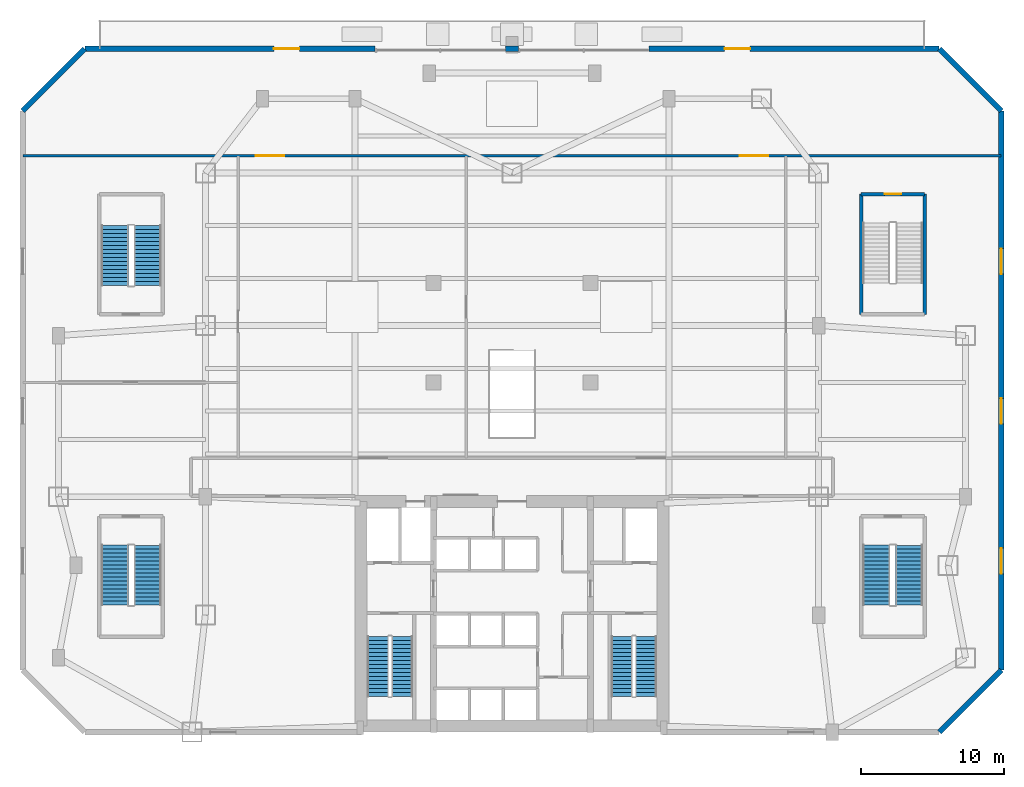
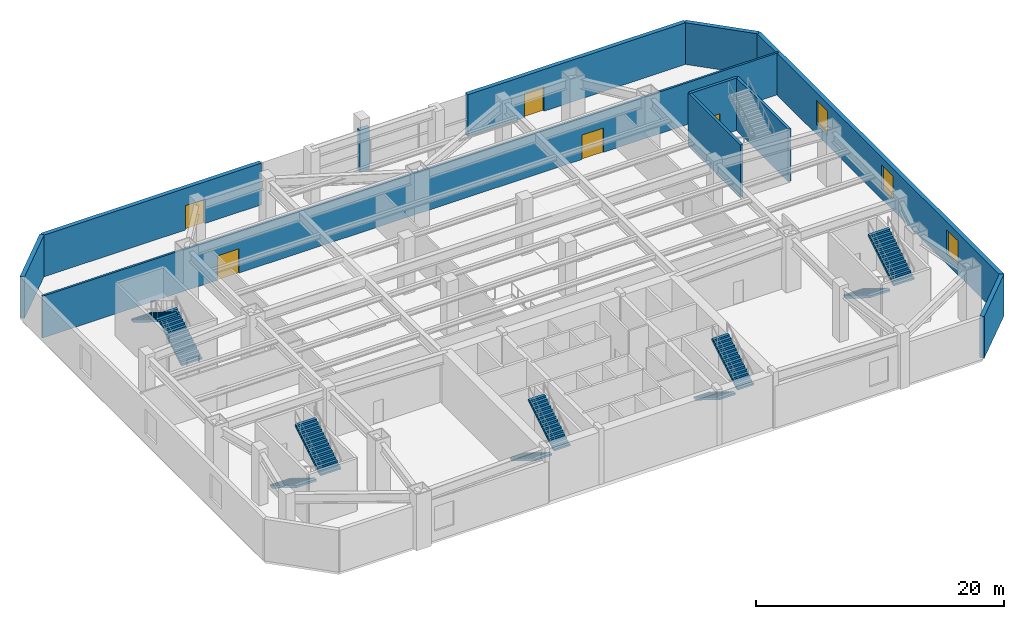
# One storey, part 6 of 10: 11 walls, 10 stair flights, 5 doors, 3 windows, 8 openings, 5 elements without a shape of their own.
"""IFC4 building model written with IfcOpenShell, lengths in metres."""

from ifc_helpers import new_model, si_unit, direction, frame, frame_2d, origin, place, context, subcontext, project, spatial, polyline, rectangle, outline, extrude, source, transform, mapped, material, layer, layer_set, type_object, type_shapes, element, fill, aggregate, save


model = new_model("IFC4")

# Units and contexts
model_context = context("Model", 3, precision=1e-05, world=origin(), true_north=direction((0.0, 1.0)))
body_context = subcontext(model_context, "Body", "Model", "MODEL_VIEW")
ifc_project = project(units=[si_unit("LENGTHUNIT", "METRE"), si_unit("AREAUNIT", "SQUARE_METRE"), si_unit("VOLUMEUNIT", "CUBIC_METRE"), si_unit("PLANEANGLEUNIT", "RADIAN"), si_unit("MASSUNIT", "GRAM", prefix="KILO")], contexts=[model_context])

# Site, building, storey
site_placement = place(None, origin())
site = spatial("IfcSite", under=ifc_project, at=site_placement, CompositionType="ELEMENT")
building_placement = place(site_placement, origin())
building = spatial("IfcBuilding", under=site, at=building_placement, Name="Varnakhor Terracotta Tower", CompositionType="ELEMENT")
storey_placement = place(building_placement, frame((0.0, 0.0, 5.5)))
storey = spatial("IfcBuildingStorey", under=building, at=storey_placement, Name="L01", CompositionType="ELEMENT", Elevation=5.5)

# Wall, openings, doors
ifc_material_1 = material(Name="Fire-Rated Gypsum Stud Partition", Category="gypsum")
ifc_layer_1 = layer(ifc_material_1, 0.18505859375, Name="Fire-Rated Gypsum Stud Partition")
ifc_layer_set_1 = layer_set([ifc_layer_1], Name="Fire-Rated Gypsum Stud Partition")
wall_type_1 = type_object("IfcWallType", Name="WAL-CORR-185", PredefinedType="PARTITIONING", material=ifc_layer_set_1)
wall_1_placement = place(storey_placement, frame((-34.2900390625, 40.39990234375, 0.0), z_axis=(0.0, 0.0, 1.0), x_axis=(1.0, 0.0, 0.0)))
wall_1 = element("IfcWall", 1, at=wall_1_placement, inside=storey, type_object=wall_type_1, Name="L01 Pre-Function Lounge Wall", PredefinedType="PARTITIONING", context=body_context, shape_type="SweptSolid", body=[
    extrude(rectangle(XDim=68.580078125, YDim=0.18505859375, at=frame_2d((34.2900390625, 0.0))), origin(), (0.0, 0.0, 1.0), 4.1220703125),
])
opening_1_placement = place(wall_1_placement, frame((16.31494140625, 0.0, 0.0)))
opening_1 = element("IfcOpeningElement", 2, at=opening_1_placement, cuts=wall_1, Name="Opening DR-32", PredefinedType="OPENING", context=body_context, shape_type="SweptSolid", body=[
    extrude(rectangle(XDim=2.0, YDim=2.39990234375, at=frame_2d((1.0, 1.199951171875))), frame((0.0, 0.1025390625, 0.0), z_axis=(0.0, -1.0, 0.0), x_axis=(1.0, 0.0, 0.0)), (0.0, 0.0, 1.0), 0.205078125),
])
opening_2_placement = place(wall_1_placement, frame((50.264892578125, 0.0, 0.0)))
opening_2 = element("IfcOpeningElement", 3, at=opening_2_placement, cuts=wall_1, Name="Opening DR-32", PredefinedType="OPENING", context=body_context, shape_type="SweptSolid", body=[
    extrude(rectangle(XDim=2.0, YDim=2.39990234375, at=frame_2d((1.0, 1.199951171875))), frame((0.0, 0.1025390625, 0.0), z_axis=(0.0, -1.0, 0.0), x_axis=(1.0, 0.0, 0.0)), (0.0, 0.0, 1.0), 0.205078125),
])
ifc_material_2 = material(Name="Acoustic Double Assembly Fire Door", Category="wood")
door_type_1 = type_object("IfcDoorType", Name="DR-HALL-2000X2400", OperationType="NOTDEFINED", PredefinedType="DOOR", material=ifc_material_2)
shared_shape_1 = source(origin(), body_context, "Body", "SweptSolid", [
    extrude(rectangle(XDim=2.0, YDim=2.39990234375, at=frame_2d((1.0, 1.199951171875))), frame((0.0, 0.02490234375, 0.0), z_axis=(0.0, -1.0, 0.0), x_axis=(1.0, 0.0, 0.0)), (0.0, 0.0, 1.0), 0.050048828125),
])
type_shapes(door_type_1, [shared_shape_1])
door_1_placement = place(opening_1_placement, origin())
door_1 = element("IfcDoor", 4, at=door_1_placement, inside=storey, type_object=door_type_1, Name="L01 Hall North Door W", OperationType="DOUBLE_DOOR_SINGLE_SWING", OverallHeight=2.39990234375, OverallWidth=2.0, PredefinedType="DOOR", context=body_context, shape_type="MappedRepresentation", body=[
    mapped(shared_shape_1, transform((0.0, 0.0, 0.0), scale=1.0)),
])
fill(opening_1, door_1)
door_2_placement = place(opening_2_placement, origin())
door_2 = element("IfcDoor", 5, at=door_2_placement, inside=storey, type_object=door_type_1, Name="L01 Hall North Door E", OperationType="DOUBLE_DOOR_SINGLE_SWING", OverallHeight=2.39990234375, OverallWidth=2.0, PredefinedType="DOOR", context=body_context, shape_type="MappedRepresentation", body=[
    mapped(shared_shape_1, transform((0.0, 0.0, 0.0), scale=1.0)),
])
fill(opening_2, door_2)

# Walls
ifc_material_3 = material(Name="Honed Riyadh Limestone Assembly", Category="masonry")
ifc_layer_2 = layer(ifc_material_3, 0.3798828125, Name="Honed Riyadh Limestone Assembly")
ifc_layer_set_2 = layer_set([ifc_layer_2], Name="Honed Riyadh Limestone Assembly")
wall_type_2 = type_object("IfcWallType", Name="WAL-EXT-LIMESTONE-380", PredefinedType="SOLIDWALL", material=ifc_layer_set_2)
wall_2_placement = place(storey_placement, frame((-34.300048828125, 43.550048828125, 0.0), z_axis=(0.0, 0.0, 1.0), x_axis=(0.70712662395, 0.707086937867, 0.0)))
element("IfcWall", 6, at=wall_2_placement, inside=storey, type_object=wall_type_2, Name="L01 Podium Chamfer Limestone Wall 2", PredefinedType="SOLIDWALL", context=body_context, shape_type="SweptSolid", body=[
    extrude(rectangle(XDim=6.15185546875, YDim=0.3798828125, at=frame_2d((3.075927734375, 0.0))), origin(), (0.0, 0.0, 1.0), 4.110107421875),
])
wall_3_placement = place(storey_placement, frame((-0.449951171875, 47.89990234375, 0.0), z_axis=(0.0, 0.0, 1.0), x_axis=(1.0, 0.0, 0.0)))
element("IfcWall", 7, at=wall_3_placement, inside=storey, type_object=wall_type_2, Name="L01 North Central Stone Pier", PredefinedType="SOLIDWALL", context=body_context, shape_type="SweptSolid", body=[
    extrude(rectangle(XDim=0.89990234375, YDim=0.3798828125, at=frame_2d((0.449951171875, 0.0))), origin(), (0.0, 0.0, 1.0), 4.110107421875),
])

# Wall, opening, door
wall_4_placement = place(storey_placement, frame((-29.949951171875, 47.89990234375, 0.0), z_axis=(0.0, 0.0, 1.0), x_axis=(1.0, 0.0, 0.0)))
wall_4 = element("IfcWall", 8, at=wall_4_placement, inside=storey, type_object=wall_type_2, Name="L01 North Podium Wall NW", PredefinedType="SOLIDWALL", context=body_context, shape_type="SweptSolid", body=[
    extrude(rectangle(XDim=20.349853515625, YDim=0.3798828125, at=frame_2d((10.1748046875, 0.0))), origin(), (0.0, 0.0, 1.0), 4.110107421875),
])
opening_3_placement = place(wall_4_placement, frame((13.25, 0.0, 0.0)))
opening_3 = element("IfcOpeningElement", 9, at=opening_3_placement, cuts=wall_4, Name="Opening DR-18", PredefinedType="OPENING", context=body_context, shape_type="SweptSolid", body=[
    extrude(rectangle(XDim=1.800048828125, YDim=2.39990234375, at=frame_2d((0.89990234375, 1.199951171875))), frame((0.0, 0.199951171875, 0.0), z_axis=(0.0, -1.0, 0.0), x_axis=(1.0, 0.0, 0.0)), (0.0, 0.0, 1.0), 0.39990234375),
])
ifc_material_4 = material(Name="Weather-Sealed Low-E Double Terrace Door", Category="aluminium")
door_type_2 = type_object("IfcDoorType", Name="DR-EXT-TERR-1800X2400", OperationType="NOTDEFINED", PredefinedType="DOOR", material=ifc_material_4)
shared_shape_2 = source(origin(), body_context, "Body", "SweptSolid", [
    extrude(rectangle(XDim=1.800048828125, YDim=2.39990234375, at=frame_2d((0.89990234375, 1.199951171875))), frame((0.0, 0.02490234375, 0.0), z_axis=(0.0, -1.0, 0.0), x_axis=(1.0, 0.0, 0.0)), (0.0, 0.0, 1.0), 0.050048828125),
])
type_shapes(door_type_2, [shared_shape_2])
door_3_placement = place(opening_3_placement, origin())
door_3 = element("IfcDoor", 10, at=door_3_placement, inside=storey, type_object=door_type_2, Name="L01 Garden Terrace Access Door NW", OperationType="DOUBLE_DOOR_SINGLE_SWING", OverallHeight=2.39990234375, OverallWidth=1.800048828125, PredefinedType="DOOR", context=body_context, shape_type="MappedRepresentation", body=[
    mapped(shared_shape_2, transform((0.0, 0.0, 0.0), scale=1.0)),
])
fill(opening_3, door_3)

wall_5_placement = place(storey_placement, frame((9.60009765625, 47.89990234375, 0.0), z_axis=(0.0, 0.0, 1.0), x_axis=(1.0, 0.0, 0.0)))
wall_5 = element("IfcWall", 11, at=wall_5_placement, inside=storey, type_object=wall_type_2, Name="L01 North Podium Wall NE", PredefinedType="SOLIDWALL", context=body_context, shape_type="SweptSolid", body=[
    extrude(rectangle(XDim=20.349853515625, YDim=0.3798828125, at=frame_2d((10.1748046875, 0.0))), origin(), (0.0, 0.0, 1.0), 4.110107421875),
])
opening_4_placement = place(wall_5_placement, frame((5.300048828125, 0.0, 0.0)))
opening_4 = element("IfcOpeningElement", 12, at=opening_4_placement, cuts=wall_5, Name="Opening DR-18", PredefinedType="OPENING", context=body_context, shape_type="SweptSolid", body=[
    extrude(rectangle(XDim=1.800048828125, YDim=2.39990234375, at=frame_2d((0.89990234375, 1.199951171875))), frame((0.0, 0.199951171875, 0.0), z_axis=(0.0, -1.0, 0.0), x_axis=(1.0, 0.0, 0.0)), (0.0, 0.0, 1.0), 0.39990234375),
])
door_4_placement = place(opening_4_placement, origin())
door_4 = element("IfcDoor", 13, at=door_4_placement, inside=storey, type_object=door_type_2, Name="L01 Garden Terrace Access Door NE", OperationType="DOUBLE_DOOR_SINGLE_SWING", OverallHeight=2.39990234375, OverallWidth=1.800048828125, PredefinedType="DOOR", context=body_context, shape_type="MappedRepresentation", body=[
    mapped(shared_shape_2, transform((0.0, 0.0, 0.0), scale=1.0)),
])
fill(opening_4, door_4)

# Wall
wall_6_placement = place(storey_placement, frame((29.949951171875, 47.89990234375, 0.0), z_axis=(0.0, 0.0, 1.0), x_axis=(0.70712662395, -0.707086937867, 0.0)))
element("IfcWall", 14, at=wall_6_placement, inside=storey, type_object=wall_type_2, Name="L01 Podium Chamfer Limestone Wall 4", PredefinedType="SOLIDWALL", context=body_context, shape_type="SweptSolid", body=[
    extrude(rectangle(XDim=6.15185546875, YDim=0.3798828125, at=frame_2d((3.075927734375, 0.0))), origin(), (0.0, 0.0, 1.0), 4.110107421875),
])

# Wall, openings, windows
wall_7_placement = place(storey_placement, frame((34.300048828125, 43.550048828125, 0.0), z_axis=(0.0, 0.0, 1.0), x_axis=(0.0, -1.0, 0.0)))
wall_7 = element("IfcWall", 15, at=wall_7_placement, inside=storey, type_object=wall_type_2, Name="L01 Podium Side Limestone Wall 5", PredefinedType="SOLIDWALL", context=body_context, shape_type="SweptSolid", body=[
    extrude(rectangle(XDim=39.199951171875, YDim=0.3798828125, at=frame_2d((19.60009765625, 0.0))), origin(), (0.0, 0.0, 1.0), 4.110107421875),
])
opening_5_placement = place(wall_7_placement, frame((30.64990234375, 0.0, 0.949951171875)))
opening_5 = element("IfcOpeningElement", 16, at=opening_5_placement, cuts=wall_7, Name="Opening WN-16", PredefinedType="OPENING", context=body_context, shape_type="SweptSolid", body=[
    extrude(rectangle(XDim=1.800048828125, YDim=2.39990234375, at=frame_2d((0.89990234375, 1.199951171875))), frame((0.0, 0.199951171875, 0.0), z_axis=(0.0, -1.0, 0.0), x_axis=(1.0, 0.0, 0.0)), (0.0, 0.0, 1.0), 0.39990234375),
])
opening_6_placement = place(wall_7_placement, frame((20.14990234375, 0.0, 0.949951171875)))
opening_6 = element("IfcOpeningElement", 17, at=opening_6_placement, cuts=wall_7, Name="Opening WN-16", PredefinedType="OPENING", context=body_context, shape_type="SweptSolid", body=[
    extrude(rectangle(XDim=1.800048828125, YDim=2.39990234375, at=frame_2d((0.89990234375, 1.199951171875))), frame((0.0, 0.199951171875, 0.0), z_axis=(0.0, -1.0, 0.0), x_axis=(1.0, 0.0, 0.0)), (0.0, 0.0, 1.0), 0.39990234375),
])
opening_7_placement = place(wall_7_placement, frame((9.64990234375, 0.0, 0.949951171875)))
opening_7 = element("IfcOpeningElement", 18, at=opening_7_placement, cuts=wall_7, Name="Opening WN-16", PredefinedType="OPENING", context=body_context, shape_type="SweptSolid", body=[
    extrude(rectangle(XDim=1.800048828125, YDim=2.39990234375, at=frame_2d((0.89990234375, 1.199951171875))), frame((0.0, 0.199951171875, 0.0), z_axis=(0.0, -1.0, 0.0), x_axis=(1.0, 0.0, 0.0)), (0.0, 0.0, 1.0), 0.39990234375),
])
ifc_material_5 = material(Name="Solar-Control Low-E Insulated Glass Unit", Category="glass")
window_type = type_object("IfcWindowType", Name="WIN-POD-2400X3200", PartitioningType="SINGLE_PANEL", PredefinedType="WINDOW", material=ifc_material_5)
shared_shape_3 = source(origin(), body_context, "Body", "SweptSolid", [
    extrude(rectangle(XDim=1.800048828125, YDim=2.39990234375, at=frame_2d((0.89990234375, 1.199951171875))), frame((0.0, 0.030029296875, 0.0), z_axis=(0.0, -1.0, 0.0), x_axis=(1.0, 0.0, 0.0)), (0.0, 0.0, 1.0), 0.06005859375),
])
type_shapes(window_type, [shared_shape_3])
window_1_placement = place(opening_5_placement, origin())
window_1 = element("IfcWindow", 19, at=window_1_placement, inside=storey, type_object=window_type, Name="L01 Side Punched Window 5-1", OverallHeight=2.39990234375, OverallWidth=1.800048828125, PartitioningType="SINGLE_PANEL", PredefinedType="WINDOW", context=body_context, shape_type="MappedRepresentation", body=[
    mapped(shared_shape_3, transform((0.0, 0.0, 0.0), scale=1.0)),
])
fill(opening_5, window_1)
window_2_placement = place(opening_6_placement, origin())
window_2 = element("IfcWindow", 20, at=window_2_placement, inside=storey, type_object=window_type, Name="L01 Side Punched Window 5-2", OverallHeight=2.39990234375, OverallWidth=1.800048828125, PartitioningType="SINGLE_PANEL", PredefinedType="WINDOW", context=body_context, shape_type="MappedRepresentation", body=[
    mapped(shared_shape_3, transform((0.0, 0.0, 0.0), scale=1.0)),
])
fill(opening_6, window_2)
window_3_placement = place(opening_7_placement, origin())
window_3 = element("IfcWindow", 21, at=window_3_placement, inside=storey, type_object=window_type, Name="L01 Side Punched Window 5-3", OverallHeight=2.39990234375, OverallWidth=1.800048828125, PartitioningType="SINGLE_PANEL", PredefinedType="WINDOW", context=body_context, shape_type="MappedRepresentation", body=[
    mapped(shared_shape_3, transform((0.0, 0.0, 0.0), scale=1.0)),
])
fill(opening_7, window_3)

# Walls
wall_8_placement = place(storey_placement, frame((34.300048828125, 4.35009765625, 0.0), z_axis=(0.0, 0.0, 1.0), x_axis=(-0.707106781187, -0.707106781187, 0.0)))
element("IfcWall", 22, at=wall_8_placement, inside=storey, type_object=wall_type_2, Name="L01 Podium Chamfer Limestone Wall 6", PredefinedType="SOLIDWALL", context=body_context, shape_type="SweptSolid", body=[
    extrude(rectangle(XDim=6.15185546875, YDim=0.3798828125, at=frame_2d((3.075927734375, 0.0))), origin(), (0.0, 0.0, 1.0), 4.110107421875),
])
ifc_material_6 = material(Name="Concrete C40/50", Category="concrete")
ifc_layer_3 = layer(ifc_material_6, 0.25, Name="Concrete C40/50")
ifc_layer_set_3 = layer_set([ifc_layer_3], Name="Concrete C40/50")
wall_type_3 = type_object("IfcWallType", Name="WAL-SHAFT-250", PredefinedType="SOLIDWALL", material=ifc_layer_set_3)
for number, where, z_axis, x_axis, name in (
    (23, (24.47998046875, 29.280029296875, 0.0), (0.0, 0.0, 1.0), (0.0, 1.0, 0.0), "L01 ST-P4 Bearing Shaft Wall W"),
    (24, (28.919921875, 29.280029296875, 0.0), (0.0, 0.0, 1.0), (0.0, 1.0, 0.0), "L01 ST-P4 Bearing Shaft Wall E"),
):
    element("IfcWall", number, at=place(storey_placement, frame(where, z_axis=z_axis, x_axis=x_axis)), inside=storey, type_object=wall_type_3, Name=name, PredefinedType="SOLIDWALL", context=body_context, shape_type="SweptSolid", body=[
        extrude(rectangle(XDim=8.43994140625, YDim=0.25, at=frame_2d((4.219970703125, 0.0))), origin(), (0.0, 0.0, 1.0), 5.169921875),
    ])

# Wall, opening, door
wall_9_placement = place(storey_placement, frame((28.919921875, 37.719970703125, 0.0), z_axis=(0.0, 0.0, 1.0), x_axis=(-1.0, 0.0, 0.0)))
wall_9 = element("IfcWall", 25, at=wall_9_placement, inside=storey, type_object=wall_type_3, Name="L01 ST-P4 Bearing Shaft Wall N", PredefinedType="SOLIDWALL", context=body_context, shape_type="SweptSolid", body=[
    extrude(rectangle(XDim=4.43994140625, YDim=0.25, at=frame_2d((2.219970703125, 0.0))), origin(), (0.0, 0.0, 1.0), 5.169921875),
])
opening_8_placement = place(wall_9_placement, frame((1.64501953125, 0.0, 0.0)))
opening_8 = element("IfcOpeningElement", 26, at=opening_8_placement, cuts=wall_9, Name="Opening DR-34", PredefinedType="OPENING", context=body_context, shape_type="SweptSolid", body=[
    extrude(rectangle(XDim=1.14990234375, YDim=2.199951171875, at=frame_2d((0.574951171875, 1.10009765625))), frame((0.0, 0.135009765625, 0.0), z_axis=(0.0, -1.0, 0.0), x_axis=(1.0, 0.0, 0.0)), (0.0, 0.0, 1.0), 0.27001953125),
])
ifc_material_7 = material(Name="Self-Closing Smoke-Sealed Steel Fire Door", Category="steel")
door_type_3 = type_object("IfcDoorType", Name="DR-STAIR-1150X2200", OperationType="NOTDEFINED", PredefinedType="DOOR", material=ifc_material_7)
shared_shape_4 = source(origin(), body_context, "Body", "SweptSolid", [
    extrude(rectangle(XDim=1.14990234375, YDim=2.199951171875, at=frame_2d((0.574951171875, 1.10009765625))), frame((0.0, 0.02490234375, 0.0), z_axis=(0.0, -1.0, 0.0), x_axis=(1.0, 0.0, 0.0)), (0.0, 0.0, 1.0), 0.050048828125),
])
type_shapes(door_type_3, [shared_shape_4])
door_5_placement = place(opening_8_placement, origin())
door_5 = element("IfcDoor", 27, at=door_5_placement, inside=storey, type_object=door_type_3, Name="L01 Exit Stair ST-P4 Fire Door", OperationType="SINGLE_SWING_RIGHT", OverallHeight=2.199951171875, OverallWidth=1.14990234375, PredefinedType="DOOR", context=body_context, shape_type="MappedRepresentation", body=[
    mapped(shared_shape_4, transform((0.0, 0.0, 0.0), scale=1.0)),
])
fill(opening_8, door_5)

# Stair, stair flights
stair_type_1 = type_object("IfcStairType", Name="STR-CORE-OFFICE-1500", PredefinedType="HALF_TURN_STAIR", material=ifc_material_6)
stair_1_placement = place(storey_placement, origin())
stair_1 = element("IfcStair", 28, at=stair_1_placement, inside=storey, type_object=stair_type_1, Name="L01 Core Exit Stair ST-1", PredefinedType="HALF_TURN_STAIR")
stair_flight_type_1 = type_object("IfcStairFlightType", Name="FLT-CORE-1500", PredefinedType="STRAIGHT", material=ifc_material_6)
stair_flight_1_placement = place(storey_placement, frame((-9.39990234375, 6.7099609375, 0.0), z_axis=(0.0, 0.0, 1.0), x_axis=(0.0, -1.0, 0.0)))
stair_flight_1 = element("IfcStairFlight", 29, at=stair_flight_1_placement, type_object=stair_flight_type_1, Name="ST-1 flight 1", NumberOfRisers=16, NumberOfTreads=15, PredefinedType="STRAIGHT", RiserHeight=0.171875, TreadLength=0.28, context=body_context, shape_type="SweptSolid", body=[
    extrude(outline(polyline([(0.0, 0.0), (0.0, 0.171875), (0.280029296875, 0.171875), (0.280029296875, 0.34375), (0.56005859375, 0.34375), (0.56005859375, 0.515625), (0.840087890625, 0.515625), (0.840087890625, 0.6875), (1.1201171875, 0.6875), (1.1201171875, 0.859375), (1.39990234375, 0.859375), (1.39990234375, 1.03125), (1.679931640625, 1.03125), (1.679931640625, 1.203125), (1.9599609375, 1.203125), (1.9599609375, 1.375), (2.239990234375, 1.375), (2.239990234375, 1.546875), (2.52001953125, 1.546875), (2.52001953125, 1.71875), (2.800048828125, 1.71875), (2.800048828125, 1.890625), (3.080078125, 1.890625), (3.080078125, 2.0625), (3.360107421875, 2.0625), (3.360107421875, 2.234375), (3.639892578125, 2.234375), (3.639892578125, 2.40625), (3.919921875, 2.40625), (3.919921875, 2.578125), (4.199951171875, 2.578125), (4.199951171875, 2.75), (4.199951171875, 2.390380859375), (0.3056640625, 0.0), (0.0, 0.0)])), frame((0.0, 0.75, 0.0), z_axis=(0.0, -1.0, 0.0), x_axis=(1.0, 0.0, 0.0)), (0.0, 0.0, 1.0), 1.5),
])
stair_flight_2_placement = place(storey_placement, frame((-7.699951171875, 2.510009765625, 2.75), z_axis=(0.0, 0.0, 1.0), x_axis=(0.0, 1.0, 0.0)))
stair_flight_2 = element("IfcStairFlight", 30, at=stair_flight_2_placement, type_object=stair_flight_type_1, Name="ST-1 flight 2", NumberOfRisers=16, NumberOfTreads=15, PredefinedType="STRAIGHT", RiserHeight=0.171875, TreadLength=0.28, context=body_context, shape_type="SweptSolid", body=[
    extrude(outline(polyline([(0.0, 0.0), (0.0, 0.171875), (0.280029296875, 0.171875), (0.280029296875, 0.34375), (0.56005859375, 0.34375), (0.56005859375, 0.515625), (0.840087890625, 0.515625), (0.840087890625, 0.6875), (1.1201171875, 0.6875), (1.1201171875, 0.859375), (1.39990234375, 0.859375), (1.39990234375, 1.03125), (1.679931640625, 1.03125), (1.679931640625, 1.203125), (1.9599609375, 1.203125), (1.9599609375, 1.375), (2.239990234375, 1.375), (2.239990234375, 1.546875), (2.52001953125, 1.546875), (2.52001953125, 1.71875), (2.800048828125, 1.71875), (2.800048828125, 1.890625), (3.080078125, 1.890625), (3.080078125, 2.0625), (3.360107421875, 2.0625), (3.360107421875, 2.234375), (3.639892578125, 2.234375), (3.639892578125, 2.40625), (3.919921875, 2.40625), (3.919921875, 2.578125), (4.199951171875, 2.578125), (4.199951171875, 2.75), (4.199951171875, 2.390380859375), (0.3056640625, 0.0), (0.0, 0.0)])), frame((0.0, 0.75, 0.0), z_axis=(0.0, -1.0, 0.0), x_axis=(1.0, 0.0, 0.0)), (0.0, 0.0, 1.0), 1.5),
])
aggregate(stair_1, [stair_flight_1, stair_flight_2])

stair_2_placement = place(storey_placement, origin())
stair_2 = element("IfcStair", 31, at=stair_2_placement, inside=storey, type_object=stair_type_1, Name="L01 Core Exit Stair ST-2", PredefinedType="HALF_TURN_STAIR")
stair_flight_3_placement = place(storey_placement, frame((7.699951171875, 6.7099609375, 0.0), z_axis=(0.0, 0.0, 1.0), x_axis=(0.0, -1.0, 0.0)))
stair_flight_3 = element("IfcStairFlight", 32, at=stair_flight_3_placement, type_object=stair_flight_type_1, Name="ST-2 flight 1", NumberOfRisers=16, NumberOfTreads=15, PredefinedType="STRAIGHT", RiserHeight=0.171875, TreadLength=0.28, context=body_context, shape_type="SweptSolid", body=[
    extrude(outline(polyline([(0.0, 0.0), (0.0, 0.171875), (0.280029296875, 0.171875), (0.280029296875, 0.34375), (0.56005859375, 0.34375), (0.56005859375, 0.515625), (0.840087890625, 0.515625), (0.840087890625, 0.6875), (1.1201171875, 0.6875), (1.1201171875, 0.859375), (1.39990234375, 0.859375), (1.39990234375, 1.03125), (1.679931640625, 1.03125), (1.679931640625, 1.203125), (1.9599609375, 1.203125), (1.9599609375, 1.375), (2.239990234375, 1.375), (2.239990234375, 1.546875), (2.52001953125, 1.546875), (2.52001953125, 1.71875), (2.800048828125, 1.71875), (2.800048828125, 1.890625), (3.080078125, 1.890625), (3.080078125, 2.0625), (3.360107421875, 2.0625), (3.360107421875, 2.234375), (3.639892578125, 2.234375), (3.639892578125, 2.40625), (3.919921875, 2.40625), (3.919921875, 2.578125), (4.199951171875, 2.578125), (4.199951171875, 2.75), (4.199951171875, 2.390380859375), (0.3056640625, 0.0), (0.0, 0.0)])), frame((0.0, 0.75, 0.0), z_axis=(0.0, -1.0, 0.0), x_axis=(1.0, 0.0, 0.0)), (0.0, 0.0, 1.0), 1.5),
])
stair_flight_4_placement = place(storey_placement, frame((9.39990234375, 2.510009765625, 2.75), z_axis=(0.0, 0.0, 1.0), x_axis=(0.0, 1.0, 0.0)))
stair_flight_4 = element("IfcStairFlight", 33, at=stair_flight_4_placement, type_object=stair_flight_type_1, Name="ST-2 flight 2", NumberOfRisers=16, NumberOfTreads=15, PredefinedType="STRAIGHT", RiserHeight=0.171875, TreadLength=0.28, context=body_context, shape_type="SweptSolid", body=[
    extrude(outline(polyline([(0.0, 0.0), (0.0, 0.171875), (0.280029296875, 0.171875), (0.280029296875, 0.34375), (0.56005859375, 0.34375), (0.56005859375, 0.515625), (0.840087890625, 0.515625), (0.840087890625, 0.6875), (1.1201171875, 0.6875), (1.1201171875, 0.859375), (1.39990234375, 0.859375), (1.39990234375, 1.03125), (1.679931640625, 1.03125), (1.679931640625, 1.203125), (1.9599609375, 1.203125), (1.9599609375, 1.375), (2.239990234375, 1.375), (2.239990234375, 1.546875), (2.52001953125, 1.546875), (2.52001953125, 1.71875), (2.800048828125, 1.71875), (2.800048828125, 1.890625), (3.080078125, 1.890625), (3.080078125, 2.0625), (3.360107421875, 2.0625), (3.360107421875, 2.234375), (3.639892578125, 2.234375), (3.639892578125, 2.40625), (3.919921875, 2.40625), (3.919921875, 2.578125), (4.199951171875, 2.578125), (4.199951171875, 2.75), (4.199951171875, 2.390380859375), (0.3056640625, 0.0), (0.0, 0.0)])), frame((0.0, 0.75, 0.0), z_axis=(0.0, -1.0, 0.0), x_axis=(1.0, 0.0, 0.0)), (0.0, 0.0, 1.0), 1.5),
])
aggregate(stair_2, [stair_flight_3, stair_flight_4])

stair_type_2 = type_object("IfcStairType", Name="STR-PODIUM-EXIT-2000", PredefinedType="HALF_TURN_STAIR", material=ifc_material_6)
stair_3_placement = place(storey_placement, origin())
stair_3 = element("IfcStair", 34, at=stair_3_placement, inside=storey, type_object=stair_type_2, Name="L01 Podium Assembly Exit Stair ST-P1", PredefinedType="HALF_TURN_STAIR")
stair_flight_type_2 = type_object("IfcStairFlightType", Name="FLT-PODIUM-2000", PredefinedType="STRAIGHT", material=ifc_material_6)
stair_flight_5_placement = place(storey_placement, frame((-27.85009765625, 13.10009765625, 0.0), z_axis=(0.0, 0.0, 1.0), x_axis=(0.0, -1.0, 0.0)))
stair_flight_5 = element("IfcStairFlight", 35, at=stair_flight_5_placement, type_object=stair_flight_type_2, Name="ST-P1 flight 1", NumberOfRisers=16, NumberOfTreads=15, PredefinedType="STRAIGHT", RiserHeight=0.171875, TreadLength=0.28, context=body_context, shape_type="SweptSolid", body=[
    extrude(outline(polyline([(0.0, 0.0), (0.0, 0.171875), (0.280029296875, 0.171875), (0.280029296875, 0.34375), (0.56005859375, 0.34375), (0.56005859375, 0.515625), (0.840087890625, 0.515625), (0.840087890625, 0.6875), (1.1201171875, 0.6875), (1.1201171875, 0.859375), (1.39990234375, 0.859375), (1.39990234375, 1.03125), (1.679931640625, 1.03125), (1.679931640625, 1.203125), (1.9599609375, 1.203125), (1.9599609375, 1.375), (2.239990234375, 1.375), (2.239990234375, 1.546875), (2.52001953125, 1.546875), (2.52001953125, 1.71875), (2.800048828125, 1.71875), (2.800048828125, 1.890625), (3.080078125, 1.890625), (3.080078125, 2.0625), (3.360107421875, 2.0625), (3.360107421875, 2.234375), (3.639892578125, 2.234375), (3.639892578125, 2.40625), (3.919921875, 2.40625), (3.919921875, 2.578125), (4.199951171875, 2.578125), (4.199951171875, 2.75), (4.199951171875, 2.366943359375), (0.343994140625, 0.0), (0.0, 0.0)])), frame((0.0, 0.949951171875, 0.0), z_axis=(0.0, -1.0, 0.0), x_axis=(1.0, 0.0, 0.0)), (0.0, 0.0, 1.0), 1.89990234375),
])
stair_flight_6_placement = place(storey_placement, frame((-25.550048828125, 8.89990234375, 2.75), z_axis=(0.0, 0.0, 1.0), x_axis=(0.0, 1.0, 0.0)))
stair_flight_6 = element("IfcStairFlight", 36, at=stair_flight_6_placement, type_object=stair_flight_type_2, Name="ST-P1 flight 2", NumberOfRisers=16, NumberOfTreads=15, PredefinedType="STRAIGHT", RiserHeight=0.171875, TreadLength=0.28, context=body_context, shape_type="SweptSolid", body=[
    extrude(outline(polyline([(0.0, 0.0), (0.0, 0.171875), (0.280029296875, 0.171875), (0.280029296875, 0.34375), (0.56005859375, 0.34375), (0.56005859375, 0.515625), (0.840087890625, 0.515625), (0.840087890625, 0.6875), (1.1201171875, 0.6875), (1.1201171875, 0.859375), (1.39990234375, 0.859375), (1.39990234375, 1.03125), (1.679931640625, 1.03125), (1.679931640625, 1.203125), (1.9599609375, 1.203125), (1.9599609375, 1.375), (2.239990234375, 1.375), (2.239990234375, 1.546875), (2.52001953125, 1.546875), (2.52001953125, 1.71875), (2.800048828125, 1.71875), (2.800048828125, 1.890625), (3.080078125, 1.890625), (3.080078125, 2.0625), (3.360107421875, 2.0625), (3.360107421875, 2.234375), (3.639892578125, 2.234375), (3.639892578125, 2.40625), (3.919921875, 2.40625), (3.919921875, 2.578125), (4.199951171875, 2.578125), (4.199951171875, 2.75), (4.199951171875, 2.366943359375), (0.343994140625, 0.0), (0.0, 0.0)])), frame((0.0, 0.949951171875, 0.0), z_axis=(0.0, -1.0, 0.0), x_axis=(1.0, 0.0, 0.0)), (0.0, 0.0, 1.0), 1.89990234375),
])
aggregate(stair_3, [stair_flight_5, stair_flight_6])

stair_4_placement = place(storey_placement, origin())
stair_4 = element("IfcStair", 37, at=stair_4_placement, inside=storey, type_object=stair_type_2, Name="L01 Podium Assembly Exit Stair ST-P2", PredefinedType="HALF_TURN_STAIR")
stair_flight_7_placement = place(storey_placement, frame((25.550048828125, 13.10009765625, 0.0), z_axis=(0.0, 0.0, 1.0), x_axis=(0.0, -1.0, 0.0)))
stair_flight_7 = element("IfcStairFlight", 38, at=stair_flight_7_placement, type_object=stair_flight_type_2, Name="ST-P2 flight 1", NumberOfRisers=16, NumberOfTreads=15, PredefinedType="STRAIGHT", RiserHeight=0.171875, TreadLength=0.28, context=body_context, shape_type="SweptSolid", body=[
    extrude(outline(polyline([(0.0, 0.0), (0.0, 0.171875), (0.280029296875, 0.171875), (0.280029296875, 0.34375), (0.56005859375, 0.34375), (0.56005859375, 0.515625), (0.840087890625, 0.515625), (0.840087890625, 0.6875), (1.1201171875, 0.6875), (1.1201171875, 0.859375), (1.39990234375, 0.859375), (1.39990234375, 1.03125), (1.679931640625, 1.03125), (1.679931640625, 1.203125), (1.9599609375, 1.203125), (1.9599609375, 1.375), (2.239990234375, 1.375), (2.239990234375, 1.546875), (2.52001953125, 1.546875), (2.52001953125, 1.71875), (2.800048828125, 1.71875), (2.800048828125, 1.890625), (3.080078125, 1.890625), (3.080078125, 2.0625), (3.360107421875, 2.0625), (3.360107421875, 2.234375), (3.639892578125, 2.234375), (3.639892578125, 2.40625), (3.919921875, 2.40625), (3.919921875, 2.578125), (4.199951171875, 2.578125), (4.199951171875, 2.75), (4.199951171875, 2.366943359375), (0.343994140625, 0.0), (0.0, 0.0)])), frame((0.0, 0.949951171875, 0.0), z_axis=(0.0, -1.0, 0.0), x_axis=(1.0, 0.0, 0.0)), (0.0, 0.0, 1.0), 1.89990234375),
])
stair_flight_8_placement = place(storey_placement, frame((27.85009765625, 8.89990234375, 2.75), z_axis=(0.0, 0.0, 1.0), x_axis=(0.0, 1.0, 0.0)))
stair_flight_8 = element("IfcStairFlight", 39, at=stair_flight_8_placement, type_object=stair_flight_type_2, Name="ST-P2 flight 2", NumberOfRisers=16, NumberOfTreads=15, PredefinedType="STRAIGHT", RiserHeight=0.171875, TreadLength=0.28, context=body_context, shape_type="SweptSolid", body=[
    extrude(outline(polyline([(0.0, 0.0), (0.0, 0.171875), (0.280029296875, 0.171875), (0.280029296875, 0.34375), (0.56005859375, 0.34375), (0.56005859375, 0.515625), (0.840087890625, 0.515625), (0.840087890625, 0.6875), (1.1201171875, 0.6875), (1.1201171875, 0.859375), (1.39990234375, 0.859375), (1.39990234375, 1.03125), (1.679931640625, 1.03125), (1.679931640625, 1.203125), (1.9599609375, 1.203125), (1.9599609375, 1.375), (2.239990234375, 1.375), (2.239990234375, 1.546875), (2.52001953125, 1.546875), (2.52001953125, 1.71875), (2.800048828125, 1.71875), (2.800048828125, 1.890625), (3.080078125, 1.890625), (3.080078125, 2.0625), (3.360107421875, 2.0625), (3.360107421875, 2.234375), (3.639892578125, 2.234375), (3.639892578125, 2.40625), (3.919921875, 2.40625), (3.919921875, 2.578125), (4.199951171875, 2.578125), (4.199951171875, 2.75), (4.199951171875, 2.366943359375), (0.343994140625, 0.0), (0.0, 0.0)])), frame((0.0, 0.949951171875, 0.0), z_axis=(0.0, -1.0, 0.0), x_axis=(1.0, 0.0, 0.0)), (0.0, 0.0, 1.0), 1.89990234375),
])
aggregate(stair_4, [stair_flight_7, stair_flight_8])

stair_5_placement = place(storey_placement, origin())
stair_5 = element("IfcStair", 40, at=stair_5_placement, inside=storey, type_object=stair_type_2, Name="L01 Podium Assembly Exit Stair ST-P3", PredefinedType="HALF_TURN_STAIR")
stair_flight_9_placement = place(storey_placement, frame((-25.550048828125, 31.300048828125, 0.0), z_axis=(0.0, 0.0, 1.0), x_axis=(0.0, 1.0, 0.0)))
stair_flight_9 = element("IfcStairFlight", 41, at=stair_flight_9_placement, type_object=stair_flight_type_2, Name="ST-P3 flight 1", NumberOfRisers=16, NumberOfTreads=15, PredefinedType="STRAIGHT", RiserHeight=0.171875, TreadLength=0.28, context=body_context, shape_type="SweptSolid", body=[
    extrude(outline(polyline([(0.0, 0.0), (0.0, 0.171875), (0.280029296875, 0.171875), (0.280029296875, 0.34375), (0.56005859375, 0.34375), (0.56005859375, 0.515625), (0.840087890625, 0.515625), (0.840087890625, 0.6875), (1.1201171875, 0.6875), (1.1201171875, 0.859375), (1.39990234375, 0.859375), (1.39990234375, 1.03125), (1.679931640625, 1.03125), (1.679931640625, 1.203125), (1.9599609375, 1.203125), (1.9599609375, 1.375), (2.239990234375, 1.375), (2.239990234375, 1.546875), (2.52001953125, 1.546875), (2.52001953125, 1.71875), (2.800048828125, 1.71875), (2.800048828125, 1.890625), (3.080078125, 1.890625), (3.080078125, 2.0625), (3.360107421875, 2.0625), (3.360107421875, 2.234375), (3.639892578125, 2.234375), (3.639892578125, 2.40625), (3.919921875, 2.40625), (3.919921875, 2.578125), (4.199951171875, 2.578125), (4.199951171875, 2.75), (4.199951171875, 2.366943359375), (0.343994140625, 0.0), (0.0, 0.0)])), frame((0.0, 0.949951171875, 0.0), z_axis=(0.0, -1.0, 0.0), x_axis=(1.0, 0.0, 0.0)), (0.0, 0.0, 1.0), 1.89990234375),
])
stair_flight_10_placement = place(storey_placement, frame((-27.85009765625, 35.5, 2.75), z_axis=(0.0, 0.0, 1.0), x_axis=(0.0, -1.0, 0.0)))
stair_flight_10 = element("IfcStairFlight", 42, at=stair_flight_10_placement, type_object=stair_flight_type_2, Name="ST-P3 flight 2", NumberOfRisers=16, NumberOfTreads=15, PredefinedType="STRAIGHT", RiserHeight=0.171875, TreadLength=0.28, context=body_context, shape_type="SweptSolid", body=[
    extrude(outline(polyline([(0.0, 0.0), (0.0, 0.171875), (0.280029296875, 0.171875), (0.280029296875, 0.34375), (0.56005859375, 0.34375), (0.56005859375, 0.515625), (0.840087890625, 0.515625), (0.840087890625, 0.6875), (1.1201171875, 0.6875), (1.1201171875, 0.859375), (1.39990234375, 0.859375), (1.39990234375, 1.03125), (1.679931640625, 1.03125), (1.679931640625, 1.203125), (1.9599609375, 1.203125), (1.9599609375, 1.375), (2.239990234375, 1.375), (2.239990234375, 1.546875), (2.52001953125, 1.546875), (2.52001953125, 1.71875), (2.800048828125, 1.71875), (2.800048828125, 1.890625), (3.080078125, 1.890625), (3.080078125, 2.0625), (3.360107421875, 2.0625), (3.360107421875, 2.234375), (3.639892578125, 2.234375), (3.639892578125, 2.40625), (3.919921875, 2.40625), (3.919921875, 2.578125), (4.199951171875, 2.578125), (4.199951171875, 2.75), (4.199951171875, 2.366943359375), (0.343994140625, 0.0), (0.0, 0.0)])), frame((0.0, 0.949951171875, 0.0), z_axis=(0.0, -1.0, 0.0), x_axis=(1.0, 0.0, 0.0)), (0.0, 0.0, 1.0), 1.89990234375),
])
aggregate(stair_5, [stair_flight_9, stair_flight_10])

save(model, "model.ifc")
